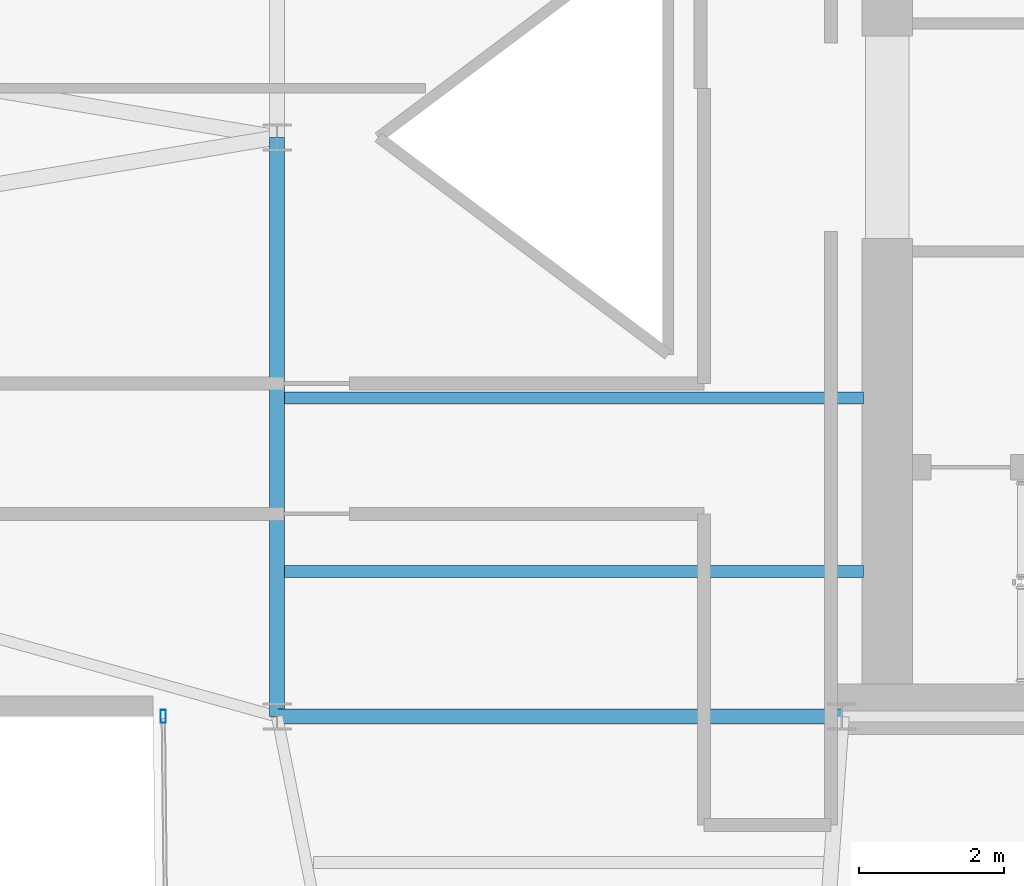
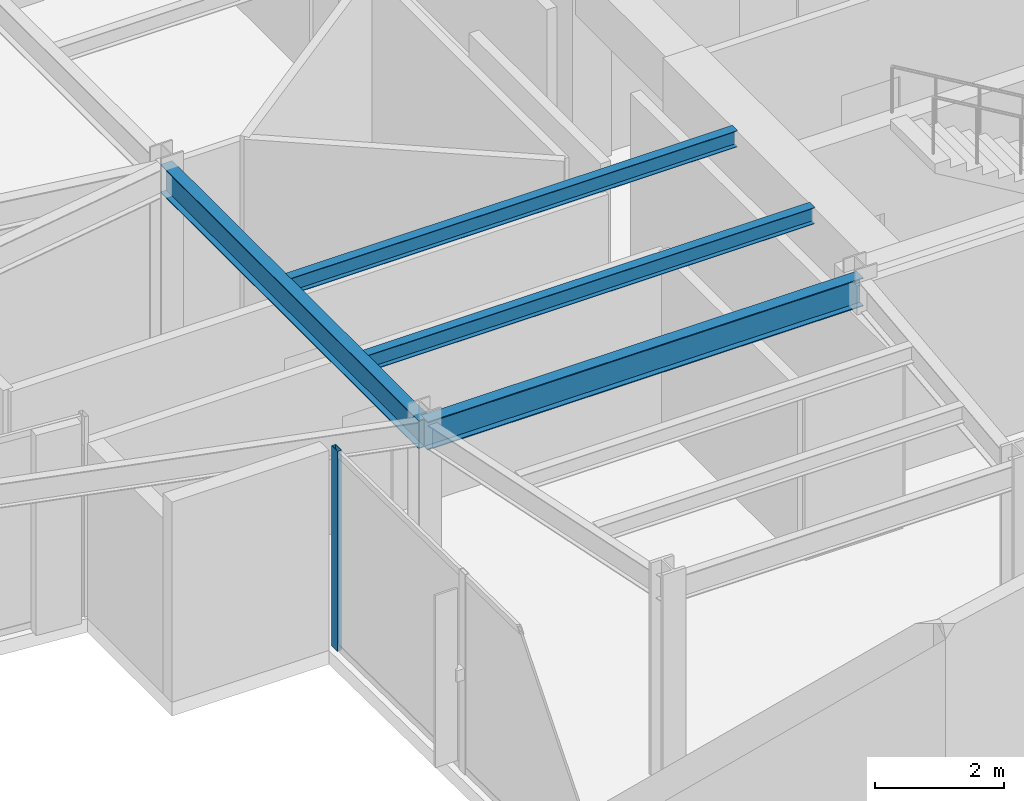
# One storey, part 8 of 22: 4 beams, 1 member, 1 element without a shape of its own.
"""IFC4 building model written with IfcOpenShell, lengths in metres."""

from ifc_helpers import new_model, si_unit, direction, frame, origin, origin_2d, place, context, subcontext, project, spatial, hollow_rectangle, i_section, extrude, material, layer, layer_set, material_profile, profile_set, type_object, element, aggregate, save


model = new_model("IFC4")

# Units and contexts
model_context = context("Model", 3, precision=1e-05, world=origin(), true_north=direction((0.0, 1.0)))
body_context = subcontext(model_context, "Body", "Model", "MODEL_VIEW")
ifc_project = project(units=[si_unit("LENGTHUNIT", "METRE"), si_unit("AREAUNIT", "SQUARE_METRE"), si_unit("VOLUMEUNIT", "CUBIC_METRE"), si_unit("PLANEANGLEUNIT", "RADIAN"), si_unit("MASSUNIT", "GRAM", prefix="KILO")], contexts=[model_context])

# Site, building, storey
site_placement = place(None, origin())
site = spatial("IfcSite", under=ifc_project, at=site_placement, CompositionType="ELEMENT")
building_placement = place(site_placement, origin())
building = spatial("IfcBuilding", under=site, at=building_placement, Name="Veymaron Broadcast Tower", CompositionType="ELEMENT")
storey_placement = place(building_placement, frame((0.0, 0.0, 208.050048828125)))
storey = spatial("IfcBuildingStorey", under=building, at=storey_placement, Name="L48", CompositionType="ELEMENT", Elevation=208.050048828125)

# Beams
ifc_material_1 = material(Name="Structural steel ASTM A992 Gr 50", Category="steel")
ifc_material_profile_1 = material_profile(ifc_material_1, i_section(OverallWidth=0.2099609375, OverallDepth=0.537109375, WebThickness=0.010986328125, FlangeThickness=0.017333984375, at=origin_2d()), Name="W530X101")
ifc_profile_set_1 = profile_set([ifc_material_profile_1], Name="Structural steel ASTM A992 Gr 50")
beam_type_1 = type_object("IfcBeamType", Name="BM-FG3", PredefinedType="BEAM", material=ifc_profile_set_1)
beam_1_placement = place(storey_placement, frame((31.199951171875, 16.0, 3.521484375), z_axis=(0.0, 1.0, 0.0), x_axis=(-1.0, 0.0, 0.0)))
element("IfcBeam", 1, at=beam_1_placement, inside=storey, type_object=beam_type_1, Name="L48 primary structural floor girder", PredefinedType="BEAM", context=body_context, shape_type="SweptSolid", body=[
    extrude(i_section(OverallWidth=0.2099609375, OverallDepth=0.537109375, WebThickness=0.010986328125, FlangeThickness=0.017333984375, at=origin_2d()), origin(), (0.0, 0.0, 1.0), 8.0),
])
beam_2_placement = place(storey_placement, frame((31.199951171875, 16.0, 3.521484375), z_axis=(1.0, 0.0, 0.0), x_axis=(0.0, 1.0, 0.0)))
element("IfcBeam", 2, at=beam_2_placement, inside=storey, type_object=beam_type_1, Name="L48 primary structural floor girder", PredefinedType="BEAM", context=body_context, shape_type="SweptSolid", body=[
    extrude(i_section(OverallWidth=0.2099609375, OverallDepth=0.537109375, WebThickness=0.010986328125, FlangeThickness=0.017333984375, at=origin_2d()), origin(), (0.0, 0.0, 1.0), 7.800048828125),
])
ifc_material_profile_2 = material_profile(ifc_material_1, i_section(OverallWidth=0.1650390625, OverallDepth=0.31005859375, WebThickness=0.005859375, FlangeThickness=0.009765625, at=origin_2d()), Name="W310X39")
ifc_profile_set_2 = profile_set([ifc_material_profile_2], Name="Structural steel ASTM A992 Gr 50")
beam_type_2 = type_object("IfcBeamType", Name="BM-JS3", PredefinedType="JOIST", material=ifc_profile_set_2)
for number, where, z_axis, x_axis, name in (
    (3, (31.300048828125, 18.0, 3.635009765625), (1.0, 0.0, 0.0), (0.0, 1.0, 0.0), "L48 Hub secondary joist 1"),
    (4, (31.300048828125, 20.39990234375, 3.635009765625), (1.0, 0.0, 0.0), (0.0, 1.0, 0.0), "L48 Hub secondary joist 2"),
):
    element("IfcBeam", number, at=place(storey_placement, frame(where, z_axis=z_axis, x_axis=x_axis)), inside=storey, type_object=beam_type_2, Name=name, PredefinedType="JOIST", context=body_context, shape_type="SweptSolid", body=[
        extrude(i_section(OverallWidth=0.1650390625, OverallDepth=0.31005859375, WebThickness=0.005859375, FlangeThickness=0.009765625, at=origin_2d()), origin(), (0.0, 0.0, 1.0), 8.0),
    ])

# Curtain wall, member
ifc_material_2 = material(Name="Anodised aluminium AA 6063-T6 and laminated low-E dark glass", Category="aluminium")
ifc_layer = layer(ifc_material_2, 0.179931640625)
ifc_layer_set = layer_set([ifc_layer], Name="Anodised aluminium AA 6063-T6 and laminated low-E dark glass")
curtain_wall_type = type_object("IfcCurtainWallType", Name="CW-SYS-05", PredefinedType="NOTDEFINED", material=ifc_layer_set)
curtain_wall_placement = place(storey_placement, origin())
curtain_wall = element("IfcCurtainWall", 5, at=curtain_wall_placement, inside=storey, type_object=curtain_wall_type, Name="L48 dark-glass curtain wall CW-L48-E17-1", PredefinedType="NOTDEFINED")
ifc_material_3 = material(Name="Anodised aluminium AA 6063-T6", Category="aluminium")
ifc_material_profile_3 = material_profile(ifc_material_3, hollow_rectangle(XDim=0.074951171875, YDim=0.179931640625, WallThickness=0.0048828125, at=origin_2d()), Name="AL180X75X5")
ifc_profile_set_3 = profile_set([ifc_material_profile_3], Name="Anodised aluminium AA 6063-T6")
member_type = type_object("IfcMemberType", Name="CW-MUL-02", PredefinedType="MULLION", material=ifc_profile_set_3)
member_placement = place(storey_placement, frame((29.62890625, 16.001708984375, 0.0), z_axis=(0.0, 0.0, 1.0), x_axis=(1.0, 0.0, 0.0)))
member = element("IfcMember", 6, at=member_placement, type_object=member_type, Name="CW-L48-E17-1 mullion 0", PredefinedType="MULLION", context=body_context, shape_type="SweptSolid", body=[
    extrude(hollow_rectangle(XDim=0.074951171875, YDim=0.179931640625, WallThickness=0.0048828125, at=origin_2d()), origin(), (0.0, 0.0, 1.0), 3.7900390625),
])
aggregate(curtain_wall, [member])

save(model, "model.ifc")
